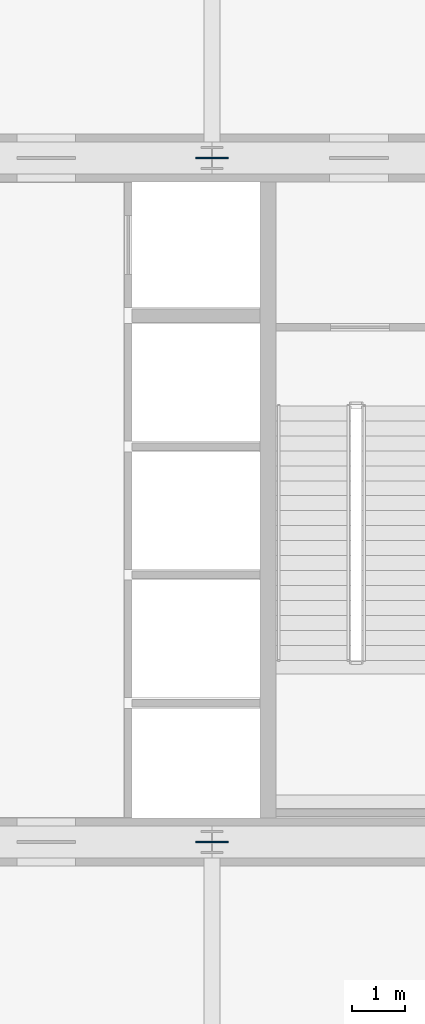
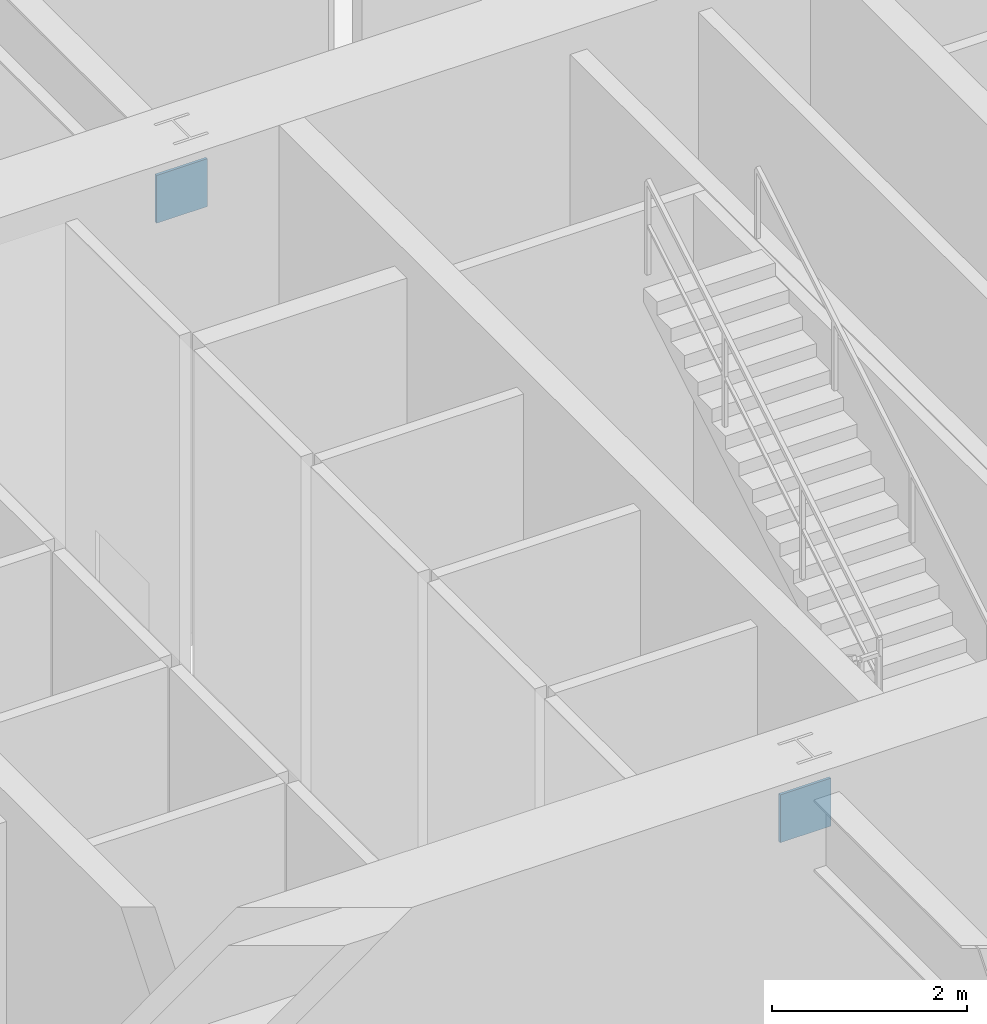
# One storey, part 37 of 39: 2 discrete accessories.
"""IFC4 building model written with IfcOpenShell, lengths in metres."""

from ifc_helpers import new_model, si_unit, direction, frame, origin, origin_2d, place, context, subcontext, project, spatial, rectangle, extrude, source, transform, mapped, material, layer, layer_set, type_object, element, save


model = new_model("IFC4")

# Units and contexts
model_context = context("Model", 3, precision=1e-05, world=origin(), true_north=direction((0.0, 1.0)))
body_context = subcontext(model_context, "Body", "Model", "MODEL_VIEW")
ifc_project = project(units=[si_unit("LENGTHUNIT", "METRE"), si_unit("AREAUNIT", "SQUARE_METRE"), si_unit("VOLUMEUNIT", "CUBIC_METRE"), si_unit("PLANEANGLEUNIT", "RADIAN"), si_unit("MASSUNIT", "GRAM", prefix="KILO"), si_unit("THERMODYNAMICTEMPERATUREUNIT", "KELVIN"), si_unit("POWERUNIT", "WATT")], contexts=[model_context])

# Site, building, storey
site_placement = place(None, origin())
site = spatial("IfcSite", under=ifc_project, at=site_placement, CompositionType="ELEMENT")
building_placement = place(site_placement, origin())
building = spatial("IfcBuilding", under=site, at=building_placement, Name="Yuzanri Waterfront Tower", CompositionType="ELEMENT")
storey_placement = place(building_placement, frame((0.0, 0.0, 19.800048828125)))
storey = spatial("IfcBuildingStorey", under=building, at=storey_placement, Name="L05", CompositionType="ELEMENT", Elevation=19.800048828125)

# Discrete accessories
ifc_material = material(Name="Steel Q355B", Category="steel")
ifc_layer = layer(ifc_material, 0.031982421875)
ifc_layer_set = layer_set([ifc_layer], Name="Steel Q355B")
discrete_accessory_type = type_object("IfcDiscreteAccessoryType", Name="Steel Q355B Core Wall Cast-In Embed Plate 600x600x32", PredefinedType="USERDEFINED", material=ifc_layer_set)
shared_shape = source(origin(), body_context, "Body", "SweptSolid", [
    extrude(rectangle(XDim=0.60009765625, YDim=0.031982421875, at=origin_2d()), origin(), (0.0, 0.0, 1.0), 0.60009765625),
])
for number, where, z_axis, x_axis, name in (
    (1, (37.0, 19.39990234375, 4.929931640625), (0.0, 0.0, 1.0), (1.0, 0.0, 0.0), "Core Wall Cast-In Embed Plate EP-01"),
    (2, (37.0, 32.199951171875, 4.929931640625), (0.0, 0.0, 1.0), (1.0, 0.0, 0.0), "Core Wall Cast-In Embed Plate EP-01"),
):
    element("IfcDiscreteAccessory", number, at=place(storey_placement, frame(where, z_axis=z_axis, x_axis=x_axis)), inside=storey, type_object=discrete_accessory_type, Name=name, ObjectType="CAST-IN EMBED PLATE", PredefinedType="USERDEFINED", context=body_context, shape_type="MappedRepresentation", body=[
        mapped(shared_shape, transform((0.0, 0.0, 0.0), scale=1.0)),
    ])

save(model, "model.ifc")
